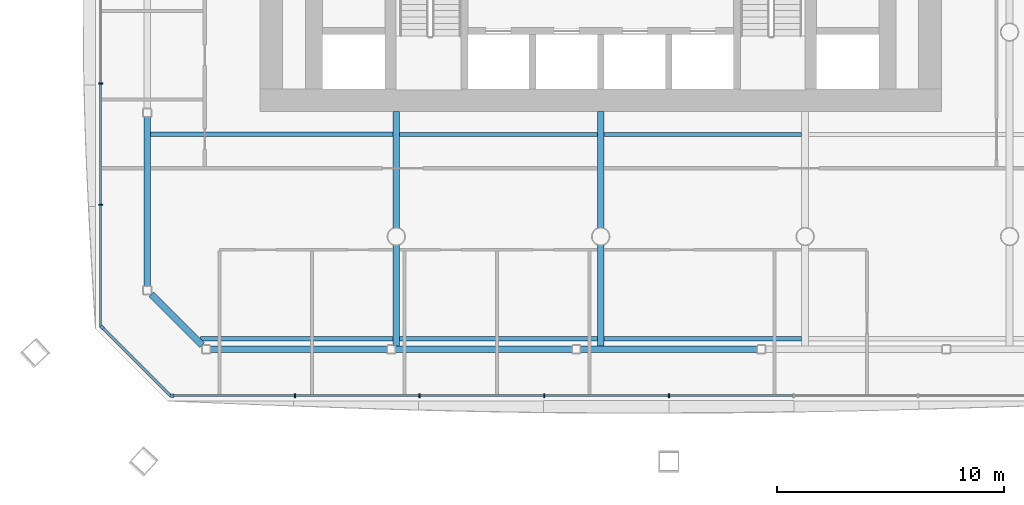
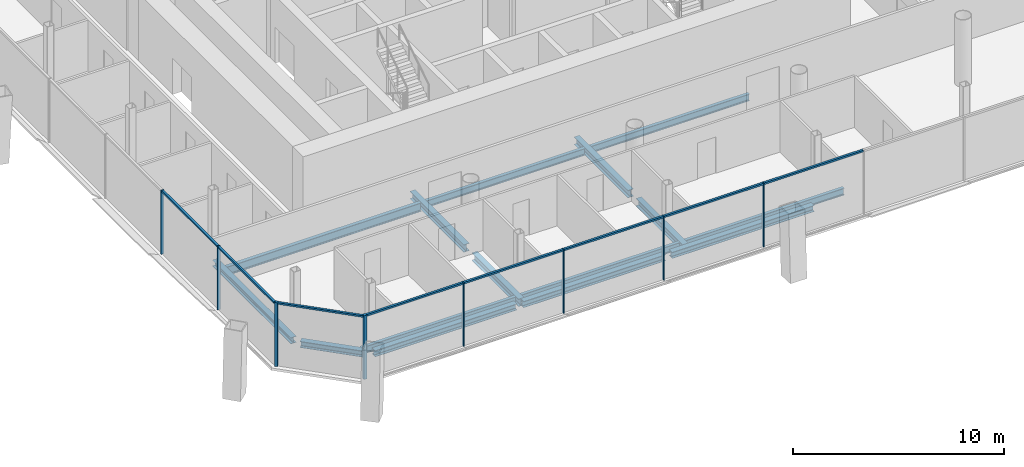
# One storey, part 3 of 19: 16 members, 15 beams, 3 elements without a shape of their own.
"""IFC4 building model written with IfcOpenShell, lengths in metres."""

from ifc_helpers import new_model, si_unit, direction, frame, origin, origin_2d, place, context, subcontext, project, spatial, rectangle, i_section, extrude, material, material_profile, profile_set, type_object, element, aggregate, save


model = new_model("IFC4")

# Units and contexts
model_context = context("Model", 3, precision=1e-05, world=origin(), true_north=direction((0.0, 1.0)))
body_context = subcontext(model_context, "Body", "Model", "MODEL_VIEW")
ifc_project = project(units=[si_unit("LENGTHUNIT", "METRE"), si_unit("AREAUNIT", "SQUARE_METRE"), si_unit("VOLUMEUNIT", "CUBIC_METRE"), si_unit("PLANEANGLEUNIT", "RADIAN"), si_unit("MASSUNIT", "GRAM", prefix="KILO")], contexts=[model_context])

# Site, building, storey
site_placement = place(None, origin())
site = spatial("IfcSite", under=ifc_project, at=site_placement, CompositionType="ELEMENT")
building_placement = place(site_placement, origin())
building = spatial("IfcBuilding", under=site, at=building_placement, Name="Tskaro Facet Tower", CompositionType="ELEMENT")
storey_placement = place(building_placement, frame((0.0, 0.0, 77.699951171875)))
storey = spatial("IfcBuildingStorey", under=building, at=storey_placement, Name="L18", CompositionType="ELEMENT", Elevation=77.699951171875)

# Curtain wall, member
ifc_material_1 = material(Name="Bronze anodised aluminium 6063-T6", Category="aluminium")
curtain_wall_type = type_object("IfcCurtainWallType", Name="Bronze office curtain wall (FW1)", PredefinedType="NOTDEFINED", material=ifc_material_1)
curtain_wall_1_placement = place(storey_placement, origin())
curtain_wall_1 = element("IfcCurtainWall", 1, at=curtain_wall_1_placement, inside=storey, type_object=curtain_wall_type, Name="FW1 south facet L18", PredefinedType="NOTDEFINED")
ifc_material_profile_1 = material_profile(ifc_material_1, rectangle(XDim=0.159912109375, YDim=0.159912109375, at=origin_2d()), Name="Corner post 160x160")
ifc_profile_set_1 = profile_set([ifc_material_profile_1], Name="Bronze anodised aluminium 6063-T6")
member_type_1 = type_object("IfcMemberType", Name="FW1 bronze corner post 160x160", PredefinedType="MULLION", material=ifc_profile_set_1)
member_1_placement = place(storey_placement, frame((-18.85888671875, -25.010986328125, 0.0), z_axis=(0.0, 0.0, 1.0), x_axis=(1.0, 0.0, 0.0)))
member_1 = element("IfcMember", 2, at=member_1_placement, type_object=member_type_1, Name="FW1 south corner post", PredefinedType="MULLION", context=body_context, shape_type="SweptSolid", body=[
    extrude(rectangle(XDim=0.159912109375, YDim=0.159912109375, at=origin_2d()), origin(), (0.0, 0.0, 1.0), 3.699951171875),
])

curtain_wall_2_placement = place(storey_placement, origin())
curtain_wall_2 = element("IfcCurtainWall", 3, at=curtain_wall_2_placement, inside=storey, type_object=curtain_wall_type, Name="FW1 south-west facet L18", PredefinedType="NOTDEFINED")
member_2_placement = place(storey_placement, frame((-21.954345703125, -21.99560546875, 0.0), z_axis=(0.0, 0.0, 1.0), x_axis=(0.707106781187, -0.707106781187, 0.0)))
member_2 = element("IfcMember", 4, at=member_2_placement, type_object=member_type_1, Name="FW1 south-west corner post", PredefinedType="MULLION", context=body_context, shape_type="SweptSolid", body=[
    extrude(rectangle(XDim=0.159912109375, YDim=0.159912109375, at=origin_2d()), origin(), (0.0, 0.0, 1.0), 3.699951171875),
])

# Member
ifc_material_profile_2 = material_profile(ifc_material_1, rectangle(XDim=0.06005859375, YDim=0.159912109375, at=origin_2d()), Name="Mullion 60x160")
ifc_profile_set_2 = profile_set([ifc_material_profile_2], Name="Bronze anodised aluminium 6063-T6")
member_type_2 = type_object("IfcMemberType", Name="FW1 bronze mullion 60x160", PredefinedType="MULLION", material=ifc_profile_set_2)
member_3_placement = place(storey_placement, frame((-13.454345703125, -25.010986328125, 0.0), z_axis=(0.0, 0.0, 1.0), x_axis=(1.0, 0.0, 0.0)))
member_3 = element("IfcMember", 5, at=member_3_placement, type_object=member_type_2, Name="FW1 south mullion 1", PredefinedType="MULLION", context=body_context, shape_type="SweptSolid", body=[
    extrude(rectangle(XDim=0.06005859375, YDim=0.159912109375, at=origin_2d()), origin(), (0.0, 0.0, 1.0), 3.699951171875),
])

member_4_placement = place(storey_placement, frame((-7.969482421875, -25.010986328125, 0.0), z_axis=(0.0, 0.0, 1.0), x_axis=(1.0, 0.0, 0.0)))
member_4 = element("IfcMember", 6, at=member_4_placement, type_object=member_type_2, Name="FW1 south mullion 2", PredefinedType="MULLION", context=body_context, shape_type="SweptSolid", body=[
    extrude(rectangle(XDim=0.06005859375, YDim=0.159912109375, at=origin_2d()), origin(), (0.0, 0.0, 1.0), 3.699951171875),
])

member_5_placement = place(storey_placement, frame((-2.48486328125, -25.010986328125, 0.0), z_axis=(0.0, 0.0, 1.0), x_axis=(1.0, 0.0, 0.0)))
member_5 = element("IfcMember", 7, at=member_5_placement, type_object=member_type_2, Name="FW1 south mullion 3", PredefinedType="MULLION", context=body_context, shape_type="SweptSolid", body=[
    extrude(rectangle(XDim=0.06005859375, YDim=0.159912109375, at=origin_2d()), origin(), (0.0, 0.0, 1.0), 3.699951171875),
])

member_6_placement = place(storey_placement, frame((3.0, -25.010986328125, 0.0), z_axis=(0.0, 0.0, 1.0), x_axis=(1.0, 0.0, 0.0)))
member_6 = element("IfcMember", 8, at=member_6_placement, type_object=member_type_2, Name="FW1 south mullion 4", PredefinedType="MULLION", context=body_context, shape_type="SweptSolid", body=[
    extrude(rectangle(XDim=0.06005859375, YDim=0.159912109375, at=origin_2d()), origin(), (0.0, 0.0, 1.0), 3.699951171875),
])

# Curtain wall, members
curtain_wall_3_placement = place(storey_placement, origin())
curtain_wall_3 = element("IfcCurtainWall", 9, at=curtain_wall_3_placement, inside=storey, type_object=curtain_wall_type, Name="FW1 west facet L18", PredefinedType="NOTDEFINED")
member_7_placement = place(storey_placement, frame((-22.010986328125, -11.268310546875, 0.0), z_axis=(0.0, 0.0, 1.0), x_axis=(0.0, -1.0, 0.0)))
member_7 = element("IfcMember", 10, at=member_7_placement, type_object=member_type_2, Name="FW1 west mullion 6", PredefinedType="MULLION", context=body_context, shape_type="SweptSolid", body=[
    extrude(rectangle(XDim=0.06005859375, YDim=0.159912109375, at=origin_2d()), origin(), (0.0, 0.0, 1.0), 3.699951171875),
])
member_8_placement = place(storey_placement, frame((-22.010986328125, -16.603515625, 0.0), z_axis=(0.0, 0.0, 1.0), x_axis=(0.0, -1.0, 0.0)))
member_8 = element("IfcMember", 11, at=member_8_placement, type_object=member_type_2, Name="FW1 west mullion 7", PredefinedType="MULLION", context=body_context, shape_type="SweptSolid", body=[
    extrude(rectangle(XDim=0.06005859375, YDim=0.159912109375, at=origin_2d()), origin(), (0.0, 0.0, 1.0), 3.699951171875),
])

# Member
ifc_material_profile_3 = material_profile(ifc_material_1, rectangle(XDim=0.1201171875, YDim=0.10009765625, at=origin_2d()), Name="Transom 120x100")
ifc_profile_set_3 = profile_set([ifc_material_profile_3], Name="Bronze anodised aluminium 6063-T6")
member_type_3 = type_object("IfcMemberType", Name="FW1 bronze transom 120x100", PredefinedType="USERDEFINED", material=ifc_profile_set_3)
member_9_placement = place(storey_placement, frame((-18.779052734375, -25.010986328125, 3.650146484375), z_axis=(1.0, 0.0, 0.0), x_axis=(0.0, 1.0, 0.0)))
member_9 = element("IfcMember", 12, at=member_9_placement, type_object=member_type_3, Name="FW1 south transom 1.1", ObjectType="TRANSOM", PredefinedType="USERDEFINED", context=body_context, shape_type="SweptSolid", body=[
    extrude(rectangle(XDim=0.1201171875, YDim=0.10009765625, at=origin_2d()), origin(), (0.0, 0.0, 1.0), 5.294921875),
])

member_10_placement = place(storey_placement, frame((-13.42431640625, -25.010986328125, 3.650146484375), z_axis=(1.0, 0.0, 0.0), x_axis=(0.0, 1.0, 0.0)))
member_10 = element("IfcMember", 13, at=member_10_placement, type_object=member_type_3, Name="FW1 south transom 2.1", ObjectType="TRANSOM", PredefinedType="USERDEFINED", context=body_context, shape_type="SweptSolid", body=[
    extrude(rectangle(XDim=0.1201171875, YDim=0.10009765625, at=origin_2d()), origin(), (0.0, 0.0, 1.0), 5.4248046875),
])

member_11_placement = place(storey_placement, frame((-7.939453125, -25.010986328125, 3.650146484375), z_axis=(1.0, 0.0, 0.0), x_axis=(0.0, 1.0, 0.0)))
member_11 = element("IfcMember", 14, at=member_11_placement, type_object=member_type_3, Name="FW1 south transom 3.1", ObjectType="TRANSOM", PredefinedType="USERDEFINED", context=body_context, shape_type="SweptSolid", body=[
    extrude(rectangle(XDim=0.1201171875, YDim=0.10009765625, at=origin_2d()), origin(), (0.0, 0.0, 1.0), 5.4248046875),
])

member_12_placement = place(storey_placement, frame((-2.454833984375, -25.010986328125, 3.650146484375), z_axis=(1.0, 0.0, 0.0), x_axis=(0.0, 1.0, 0.0)))
member_12 = element("IfcMember", 15, at=member_12_placement, type_object=member_type_3, Name="FW1 south transom 4.1", ObjectType="TRANSOM", PredefinedType="USERDEFINED", context=body_context, shape_type="SweptSolid", body=[
    extrude(rectangle(XDim=0.1201171875, YDim=0.10009765625, at=origin_2d()), origin(), (0.0, 0.0, 1.0), 5.4248046875),
])

member_13_placement = place(storey_placement, frame((3.030029296875, -25.010986328125, 3.650146484375), z_axis=(1.0, 0.0, 0.0), x_axis=(0.0, 1.0, 0.0)))
member_13 = element("IfcMember", 16, at=member_13_placement, type_object=member_type_3, Name="FW1 south transom 5.1", ObjectType="TRANSOM", PredefinedType="USERDEFINED", context=body_context, shape_type="SweptSolid", body=[
    extrude(rectangle(XDim=0.1201171875, YDim=0.10009765625, at=origin_2d()), origin(), (0.0, 0.0, 1.0), 5.4248046875),
])

aggregate(curtain_wall_1, [member_1, member_3, member_4, member_5, member_6, member_9, member_10, member_11, member_12, member_13])

member_14_placement = place(storey_placement, frame((-22.010986328125, -11.29833984375, 3.650146484375), z_axis=(0.0, -1.0, 0.0), x_axis=(1.0, 0.0, 0.0)))
member_14 = element("IfcMember", 17, at=member_14_placement, type_object=member_type_3, Name="FW1 west transom 7.1", ObjectType="TRANSOM", PredefinedType="USERDEFINED", context=body_context, shape_type="SweptSolid", body=[
    extrude(rectangle(XDim=0.1201171875, YDim=0.10009765625, at=origin_2d()), origin(), (0.0, 0.0, 1.0), 5.275390625),
])

member_15_placement = place(storey_placement, frame((-22.010986328125, -16.633544921875, 3.650146484375), z_axis=(0.0, -1.0, 0.0), x_axis=(1.0, 0.0, 0.0)))
member_15 = element("IfcMember", 18, at=member_15_placement, type_object=member_type_3, Name="FW1 west transom 8.1", ObjectType="TRANSOM", PredefinedType="USERDEFINED", context=body_context, shape_type="SweptSolid", body=[
    extrude(rectangle(XDim=0.1201171875, YDim=0.10009765625, at=origin_2d()), origin(), (0.0, 0.0, 1.0), 5.305419921875),
])

aggregate(curtain_wall_3, [member_7, member_8, member_14, member_15])

member_16_placement = place(storey_placement, frame((-21.89794921875, -22.05224609375, 3.650146484375), z_axis=(0.70713595286, -0.70707760831, 0.0), x_axis=(0.70707760831, 0.70713595286, 0.0)))
member_16 = element("IfcMember", 19, at=member_16_placement, type_object=member_type_3, Name="FW1 south-west transom 1.1", ObjectType="TRANSOM", PredefinedType="USERDEFINED", context=body_context, shape_type="SweptSolid", body=[
    extrude(rectangle(XDim=0.1201171875, YDim=0.10009765625, at=origin_2d()), origin(), (0.0, 0.0, 1.0), 4.1845703125),
])

aggregate(curtain_wall_2, [member_2, member_16])

# Beams
ifc_material_2 = material(Name="Steel S355J2", Category="steel")
ifc_material_profile_4 = material_profile(ifc_material_2, i_section(OverallWidth=0.300048828125, OverallDepth=0.360107421875, WebThickness=0.012451171875, FlangeThickness=0.0224609375, FilletRadius=0.027099609375, at=origin_2d()), Name="HE 360 B")
ifc_profile_set_4 = profile_set([ifc_material_profile_4], Name="Steel S355J2")
beam_type_1 = type_object("IfcBeamType", Name="HE 360 B ring beam", PredefinedType="BEAM", material=ifc_profile_set_4)
beam_1_placement = place(storey_placement, frame((-17.18408203125, -22.965087890625, -0.320068359375), z_axis=(1.0, 0.0, 0.0), x_axis=(0.0, 1.0, 0.0)))
element("IfcBeam", 20, at=beam_1_placement, inside=storey, type_object=beam_type_1, Name="HE 360 B EB1-2", PredefinedType="BEAM", context=body_context, shape_type="SweptSolid", body=[
    extrude(i_section(OverallWidth=0.300048828125, OverallDepth=0.360107421875, WebThickness=0.012451171875, FlangeThickness=0.0224609375, FilletRadius=0.027099609375, at=origin_2d()), origin(), (0.0, 0.0, 1.0), 7.7861328125),
])
beam_2_placement = place(storey_placement, frame((-9.0380859375, -22.965087890625, -0.320068359375), z_axis=(1.0, 0.0, 0.0), x_axis=(0.0, 1.0, 0.0)))
element("IfcBeam", 21, at=beam_2_placement, inside=storey, type_object=beam_type_1, Name="HE 360 B EB2-2", PredefinedType="BEAM", context=body_context, shape_type="SweptSolid", body=[
    extrude(i_section(OverallWidth=0.300048828125, OverallDepth=0.360107421875, WebThickness=0.012451171875, FlangeThickness=0.0224609375, FilletRadius=0.027099609375, at=origin_2d()), origin(), (0.0, 0.0, 1.0), 7.78515625),
])
beam_3_placement = place(storey_placement, frame((-0.89306640625, -22.965087890625, -0.320068359375), z_axis=(1.0, 0.0, 0.0), x_axis=(0.0, 1.0, 0.0)))
element("IfcBeam", 22, at=beam_3_placement, inside=storey, type_object=beam_type_1, Name="HE 360 B EB3-2", PredefinedType="BEAM", context=body_context, shape_type="SweptSolid", body=[
    extrude(i_section(OverallWidth=0.300048828125, OverallDepth=0.360107421875, WebThickness=0.012451171875, FlangeThickness=0.0224609375, FilletRadius=0.027099609375, at=origin_2d()), origin(), (0.0, 0.0, 1.0), 7.7861328125),
])
beam_4_placement = place(storey_placement, frame((-19.965087890625, -12.73291015625, -0.320068359375), z_axis=(0.0, -1.0, 0.0), x_axis=(1.0, 0.0, 0.0)))
element("IfcBeam", 23, at=beam_4_placement, inside=storey, type_object=beam_type_1, Name="HE 360 B EB23-2", PredefinedType="BEAM", context=body_context, shape_type="SweptSolid", body=[
    extrude(i_section(OverallWidth=0.300048828125, OverallDepth=0.360107421875, WebThickness=0.012451171875, FlangeThickness=0.0224609375, FilletRadius=0.027099609375, at=origin_2d()), origin(), (0.0, 0.0, 1.0), 7.451171875),
])
beam_5_placement = place(storey_placement, frame((-19.779052734375, -20.5498046875, -0.320068359375), z_axis=(0.707106781187, -0.707106781187, 0.0), x_axis=(0.707106781187, 0.707106781187, 0.0)))
element("IfcBeam", 24, at=beam_5_placement, inside=storey, type_object=beam_type_1, Name="HE 360 B EB24-2", PredefinedType="BEAM", context=body_context, shape_type="SweptSolid", body=[
    extrude(i_section(OverallWidth=0.300048828125, OverallDepth=0.360107421875, WebThickness=0.012451171875, FlangeThickness=0.0224609375, FilletRadius=0.027099609375, at=origin_2d()), origin(), (0.0, 0.0, 1.0), 3.152587890625),
])
ifc_material_profile_5 = material_profile(ifc_material_2, i_section(OverallWidth=0.300048828125, OverallDepth=0.43994140625, WebThickness=0.011474609375, FlangeThickness=0.02099609375, FilletRadius=0.027099609375, at=origin_2d()), Name="HE 450 A")
ifc_profile_set_5 = profile_set([ifc_material_profile_5], Name="Steel S355J2")
beam_type_2 = type_object("IfcBeamType", Name="HE 450 A girder", PredefinedType="BEAM", material=ifc_profile_set_5)
beam_6_placement = place(storey_placement, frame((-9.0, -22.81494140625, -0.35986328125), z_axis=(0.0, 1.0, 0.0), x_axis=(-1.0, 0.0, 0.0)))
element("IfcBeam", 25, at=beam_6_placement, inside=storey, type_object=beam_type_2, Name="HE 450 A GB3-1-2", PredefinedType="BEAM", context=body_context, shape_type="SweptSolid", body=[
    extrude(i_section(OverallWidth=0.300048828125, OverallDepth=0.43994140625, WebThickness=0.011474609375, FlangeThickness=0.02099609375, FilletRadius=0.027099609375, at=origin_2d()), origin(), (0.0, 0.0, 1.0), 4.4384765625),
])
beam_7_placement = place(storey_placement, frame((-9.0, -17.62353515625, -0.35986328125), z_axis=(0.0, 1.0, 0.0), x_axis=(-1.0, 0.0, 0.0)))
element("IfcBeam", 26, at=beam_7_placement, inside=storey, type_object=beam_type_2, Name="HE 450 A GB3-2-2", PredefinedType="BEAM", context=body_context, shape_type="SweptSolid", body=[
    extrude(i_section(OverallWidth=0.300048828125, OverallDepth=0.43994140625, WebThickness=0.011474609375, FlangeThickness=0.02099609375, FilletRadius=0.027099609375, at=origin_2d()), origin(), (0.0, 0.0, 1.0), 5.12353515625),
])
beam_8_placement = place(storey_placement, frame((0.0, -22.81494140625, -0.35986328125), z_axis=(0.0, 1.0, 0.0), x_axis=(-1.0, 0.0, 0.0)))
element("IfcBeam", 27, at=beam_8_placement, inside=storey, type_object=beam_type_2, Name="HE 450 A GB4-1-2", PredefinedType="BEAM", context=body_context, shape_type="SweptSolid", body=[
    extrude(i_section(OverallWidth=0.300048828125, OverallDepth=0.43994140625, WebThickness=0.011474609375, FlangeThickness=0.02099609375, FilletRadius=0.027099609375, at=origin_2d()), origin(), (0.0, 0.0, 1.0), 4.4384765625),
])
beam_9_placement = place(storey_placement, frame((0.0, -17.62353515625, -0.35986328125), z_axis=(0.0, 1.0, 0.0), x_axis=(-1.0, 0.0, 0.0)))
element("IfcBeam", 28, at=beam_9_placement, inside=storey, type_object=beam_type_2, Name="HE 450 A GB4-2-2", PredefinedType="BEAM", context=body_context, shape_type="SweptSolid", body=[
    extrude(i_section(OverallWidth=0.300048828125, OverallDepth=0.43994140625, WebThickness=0.011474609375, FlangeThickness=0.02099609375, FilletRadius=0.027099609375, at=origin_2d()), origin(), (0.0, 0.0, 1.0), 5.12353515625),
])
ifc_material_profile_6 = material_profile(ifc_material_2, i_section(OverallWidth=0.179931640625, OverallDepth=0.39990234375, WebThickness=0.008544921875, FlangeThickness=0.013427734375, FilletRadius=0.02099609375, at=origin_2d()), Name="IPE 400")
ifc_profile_set_6 = profile_set([ifc_material_profile_6], Name="Steel S355J2")
beam_type_3 = type_object("IfcBeamType", Name="IPE 400 secondary beam", PredefinedType="BEAM", material=ifc_profile_set_6)
beam_10_placement = place(storey_placement, frame((-17.616943359375, -22.5, -0.33984375), z_axis=(1.0, 0.0, 0.0), x_axis=(0.0, 1.0, 0.0)))
element("IfcBeam", 29, at=beam_10_placement, inside=storey, type_object=beam_type_3, Name="IPE 400 SB1a-1-2", PredefinedType="BEAM", context=body_context, shape_type="SweptSolid", body=[
    extrude(i_section(OverallWidth=0.179931640625, OverallDepth=0.39990234375, WebThickness=0.008544921875, FlangeThickness=0.013427734375, FilletRadius=0.02099609375, at=origin_2d()), origin(), (0.0, 0.0, 1.0), 8.467041015625),
])
for number, where, z_axis, x_axis, name in (
    (30, (-8.85009765625, -22.5, -0.33984375), (1.0, 0.0, 0.0), (0.0, 1.0, 0.0), "IPE 400 SB1a-2-2"),
    (31, (0.14990234375, -22.5, -0.33984375), (1.0, 0.0, 0.0), (0.0, 1.0, 0.0), "IPE 400 SB1a-3-2"),
    (32, (-8.85009765625, -13.5, -0.33984375), (1.0, 0.0, 0.0), (0.0, 1.0, 0.0), "IPE 400 SB2a-2-2"),
    (33, (0.14990234375, -13.5, -0.33984375), (1.0, 0.0, 0.0), (0.0, 1.0, 0.0), "IPE 400 SB2a-3-2"),
):
    element("IfcBeam", number, at=place(storey_placement, frame(where, z_axis=z_axis, x_axis=x_axis)), inside=storey, type_object=beam_type_3, Name=name, PredefinedType="BEAM", context=body_context, shape_type="SweptSolid", body=[
        extrude(i_section(OverallWidth=0.179931640625, OverallDepth=0.39990234375, WebThickness=0.008544921875, FlangeThickness=0.013427734375, FilletRadius=0.02099609375, at=origin_2d()), origin(), (0.0, 0.0, 1.0), 8.7001953125),
    ])
ifc_material_profile_7 = material_profile(ifc_material_2, i_section(OverallWidth=0.199951171875, OverallDepth=0.5, WebThickness=0.01025390625, FlangeThickness=0.01611328125, FilletRadius=0.02099609375, at=origin_2d()), Name="IPE 500")
ifc_profile_set_7 = profile_set([ifc_material_profile_7], Name="Steel S355J2")
beam_type_4 = type_object("IfcBeamType", Name="IPE 500 long secondary beam", PredefinedType="BEAM", material=ifc_profile_set_7)
beam_11_placement = place(storey_placement, frame((-19.81494140625, -13.5, -0.389892578125), z_axis=(1.0, 0.0, 0.0), x_axis=(0.0, 1.0, 0.0)))
element("IfcBeam", 34, at=beam_11_placement, inside=storey, type_object=beam_type_4, Name="IPE 500 LSB2a-1-2", PredefinedType="BEAM", context=body_context, shape_type="SweptSolid", body=[
    extrude(i_section(OverallWidth=0.199951171875, OverallDepth=0.5, WebThickness=0.01025390625, FlangeThickness=0.01611328125, FilletRadius=0.02099609375, at=origin_2d()), origin(), (0.0, 0.0, 1.0), 10.6650390625),
])

save(model, "model.ifc")
